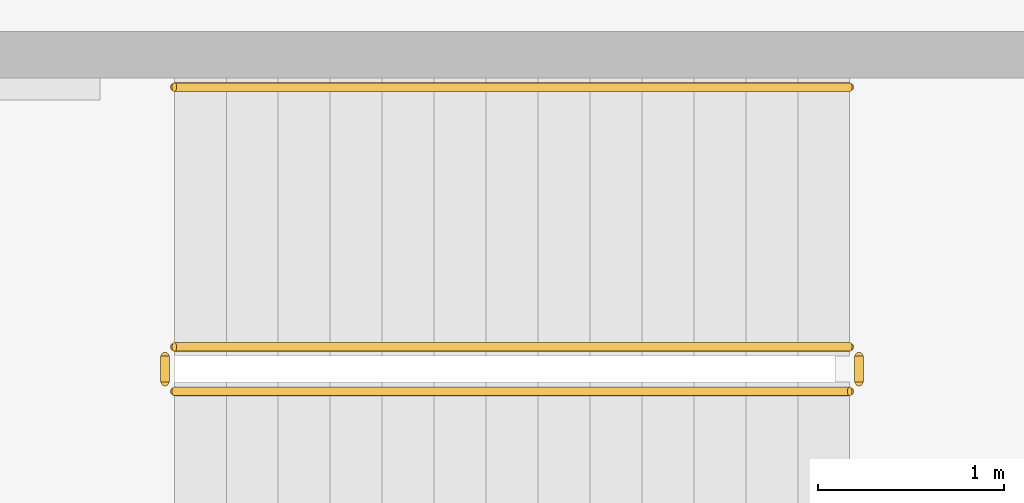
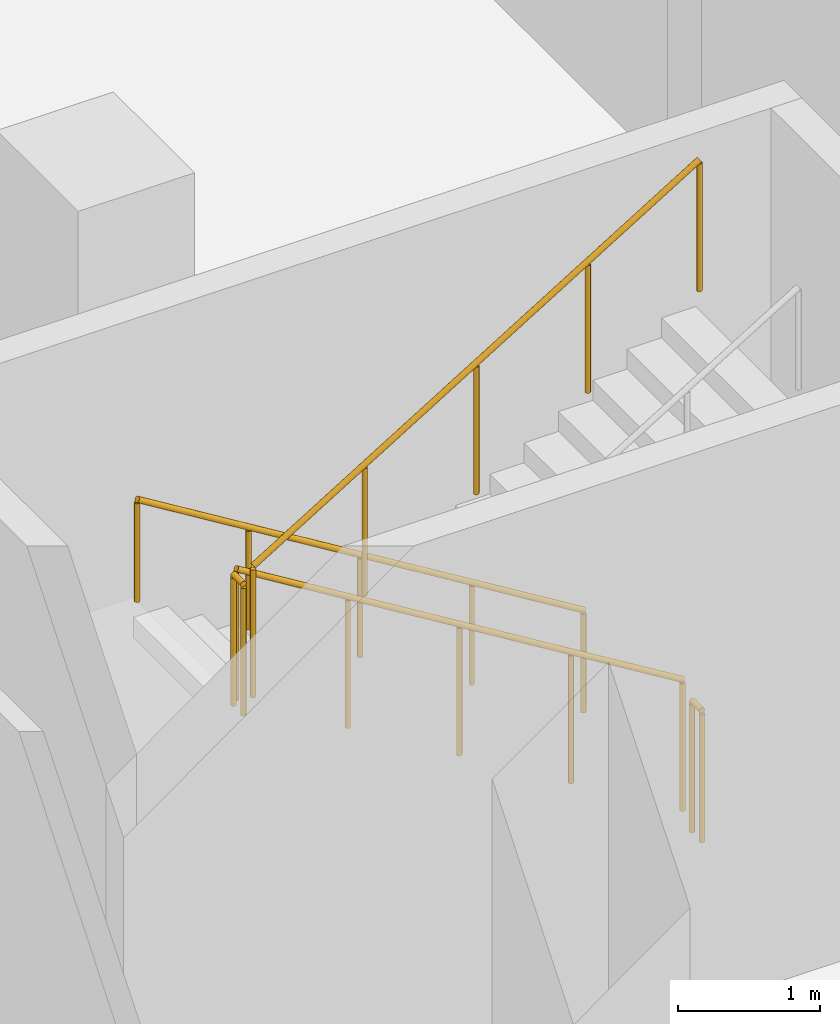
# One storey, part 20 of 23: 5 railings.
"""IFC4 building model written with IfcOpenShell, lengths in metres."""

from ifc_helpers import new_model, si_unit, derived_unit, direction, frame, origin, origin_2d, place, context, subcontext, project, spatial, circle, extrude, material, type_object, element, save


model = new_model("IFC4")

# Units and contexts
model_context = context("Model", 3, precision=1e-05, world=origin(), true_north=direction((0.0, 1.0)))
body_context = subcontext(model_context, "Body", "Model", "MODEL_VIEW")
ifc_project = project(units=[si_unit("LENGTHUNIT", "METRE"), si_unit("AREAUNIT", "SQUARE_METRE"), si_unit("VOLUMEUNIT", "CUBIC_METRE"), si_unit("PLANEANGLEUNIT", "RADIAN"), si_unit("MASSUNIT", "GRAM", prefix="KILO"), derived_unit("THERMALTRANSMITTANCEUNIT", [(si_unit("POWERUNIT", "WATT"), 1), (si_unit("LENGTHUNIT", "METRE"), -2), (si_unit("THERMODYNAMICTEMPERATUREUNIT", "KELVIN"), -1)])], contexts=[model_context])

# Site, building, storey
site_placement = place(None, origin())
site = spatial("IfcSite", under=ifc_project, at=site_placement, CompositionType="ELEMENT")
building_placement = place(site_placement, origin())
building = spatial("IfcBuilding", under=site, at=building_placement, Name="Kivonza Crest Hotel", CompositionType="ELEMENT")
storey_placement = place(building_placement, frame((0.0, 0.0, 5.39990234375)))
storey = spatial("IfcBuildingStorey", under=building, at=storey_placement, Name="L01", CompositionType="ELEMENT", Elevation=5.39990234375)

# Railings
ifc_material_1 = material(Name="Brushed stainless steel handrail", Category="steel")
railing_type_1 = type_object("IfcRailingType", Name="RL-HAND-900", PredefinedType="HANDRAIL", material=ifc_material_1)
railing_1_placement = place(storey_placement, frame((63.840087890625, 26.530029296875, 0.171630859375)))
element("IfcRailing", 1, at=railing_1_placement, inside=storey, type_object=railing_type_1, Name="L01 ST-POD-E stair handrail 1", PredefinedType="HANDRAIL", context=body_context, shape_type="SweptSolid", body=[
    extrude(circle(Radius=0.02392578125, at=origin_2d()), frame((0.0, 0.0, 0.8759765625), z_axis=(-0.852865859571, 0.0, 0.52213008492), x_axis=(0.0, -1.0, 0.0)), (0.0, 0.0, 1.0), 4.26806640625),
    extrude(circle(Radius=0.02099609375, at=origin_2d()), origin(), (0.0, 0.0, 1.0), 0.851806640625),
    extrude(circle(Radius=0.02099609375, at=origin_2d()), frame((-0.91015625, 0.0, 0.55712890625)), (0.0, 0.0, 1.0), 0.851806640625),
    extrude(circle(Radius=0.02099609375, at=origin_2d()), frame((-1.820068359375, 0.0, 1.1142578125)), (0.0, 0.0, 1.0), 0.851806640625),
    extrude(circle(Radius=0.02099609375, at=origin_2d()), frame((-2.72998046875, 0.0, 1.67138671875)), (0.0, 0.0, 1.0), 0.851806640625),
    extrude(circle(Radius=0.02099609375, at=origin_2d()), frame((-3.64013671875, 0.0, 2.228515625)), (0.0, 0.0, 1.0), 0.851806640625),
])
ifc_material_2 = material(Name="Painted steel balustrade", Category="steel")
railing_type_2 = type_object("IfcRailingType", Name="RL-STAIR-1150", PredefinedType="BALUSTRADE", material=ifc_material_2)
railing_2_placement = place(storey_placement, frame((63.840087890625, 25.1298828125, 0.171630859375)))
element("IfcRailing", 2, at=railing_2_placement, inside=storey, type_object=railing_type_2, Name="L01 ST-POD-E stair guard 1", PredefinedType="BALUSTRADE", context=body_context, shape_type="SweptSolid", body=[
    extrude(circle(Radius=0.02392578125, at=origin_2d()), frame((0.0, 0.0, 1.1259765625), z_axis=(-0.852865859571, 0.0, 0.52213008492), x_axis=(0.0, -1.0, 0.0)), (0.0, 0.0, 1.0), 4.26806640625),
    extrude(circle(Radius=0.02099609375, at=origin_2d()), origin(), (0.0, 0.0, 1.0), 1.101806640625),
    extrude(circle(Radius=0.02099609375, at=origin_2d()), frame((-0.91015625, 0.0, 0.55712890625)), (0.0, 0.0, 1.0), 1.101806640625),
    extrude(circle(Radius=0.02099609375, at=origin_2d()), frame((-1.820068359375, 0.0, 1.1142578125)), (0.0, 0.0, 1.0), 1.101806640625),
    extrude(circle(Radius=0.02099609375, at=origin_2d()), frame((-2.72998046875, 0.0, 1.67138671875)), (0.0, 0.0, 1.0), 1.101806640625),
    extrude(circle(Radius=0.02099609375, at=origin_2d()), frame((-3.64013671875, 0.0, 2.228515625)), (0.0, 0.0, 1.0), 1.101806640625),
])
railing_3_placement = place(storey_placement, frame((60.14990234375, 25.080078125, 2.400146484375)))
element("IfcRailing", 3, at=railing_3_placement, inside=storey, type_object=railing_type_2, Name="L01 ST-POD-E stair guard 2", PredefinedType="BALUSTRADE", context=body_context, shape_type="SweptSolid", body=[
    extrude(circle(Radius=0.02392578125, at=origin_2d()), frame((0.0, 0.0, 1.1259765625), z_axis=(0.0, -1.0, 0.0), x_axis=(1.0, 0.0, 0.0)), (0.0, 0.0, 1.0), 0.14013671875),
    extrude(circle(Radius=0.02099609375, at=origin_2d()), origin(), (0.0, 0.0, 1.0), 1.101806640625),
    extrude(circle(Radius=0.02099609375, at=origin_2d()), frame((0.0, -0.14013671875, 0.0)), (0.0, 0.0, 1.0), 1.101806640625),
])
railing_4_placement = place(storey_placement, frame((60.199951171875, 24.889892578125, 2.571533203125)))
element("IfcRailing", 4, at=railing_4_placement, inside=storey, type_object=railing_type_2, Name="L01 ST-POD-E stair guard 3", PredefinedType="BALUSTRADE", context=body_context, shape_type="SweptSolid", body=[
    extrude(circle(Radius=0.02392578125, at=origin_2d()), frame((0.0, 0.0, 1.1259765625), z_axis=(0.852865859571, 0.0, 0.52213008492), x_axis=(0.0, 1.0, 0.0)), (0.0, 0.0, 1.0), 4.26806640625),
    extrude(circle(Radius=0.02099609375, at=origin_2d()), origin(), (0.0, 0.0, 1.0), 1.101806640625),
    extrude(circle(Radius=0.02099609375, at=origin_2d()), frame((0.91015625, 0.0, 0.55712890625)), (0.0, 0.0, 1.0), 1.101806640625),
    extrude(circle(Radius=0.02099609375, at=origin_2d()), frame((1.820068359375, 0.0, 1.1142578125)), (0.0, 0.0, 1.0), 1.101806640625),
    extrude(circle(Radius=0.02099609375, at=origin_2d()), frame((2.72998046875, 0.0, 1.67138671875)), (0.0, 0.0, 1.0), 1.101806640625),
    extrude(circle(Radius=0.02099609375, at=origin_2d()), frame((3.64013671875, 0.0, 2.228515625)), (0.0, 0.0, 1.0), 1.101806640625),
])
railing_5_placement = place(storey_placement, frame((63.889892578125, 25.080078125, 0.0)))
element("IfcRailing", 5, at=railing_5_placement, inside=storey, type_object=railing_type_2, Name="L01 ST-POD-E stair guard 4", PredefinedType="BALUSTRADE", context=body_context, shape_type="SweptSolid", body=[
    extrude(circle(Radius=0.02392578125, at=origin_2d()), frame((0.0, 0.0, 1.1259765625), z_axis=(0.0, -1.0, 0.0), x_axis=(1.0, 0.0, 0.0)), (0.0, 0.0, 1.0), 0.14013671875),
    extrude(circle(Radius=0.02099609375, at=origin_2d()), origin(), (0.0, 0.0, 1.0), 1.101806640625),
    extrude(circle(Radius=0.02099609375, at=origin_2d()), frame((0.0, -0.14013671875, 0.0)), (0.0, 0.0, 1.0), 1.101806640625),
])

save(model, "model.ifc")
